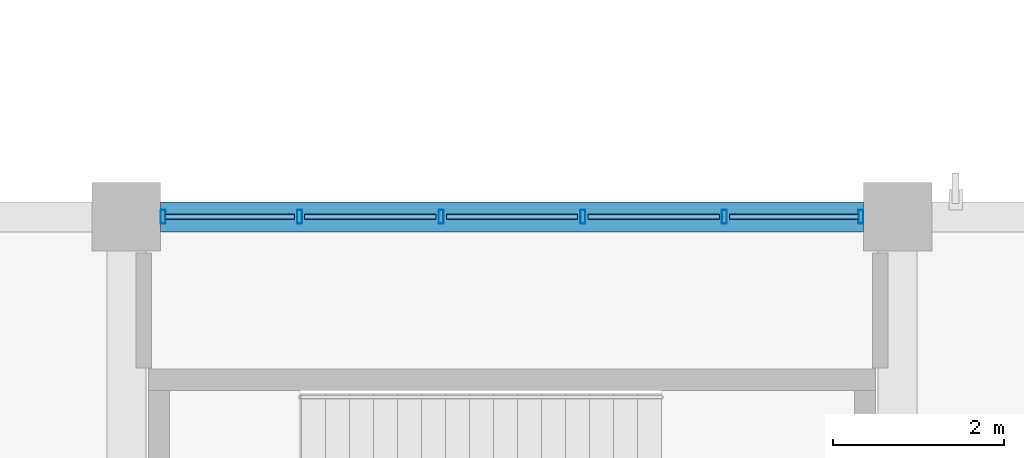
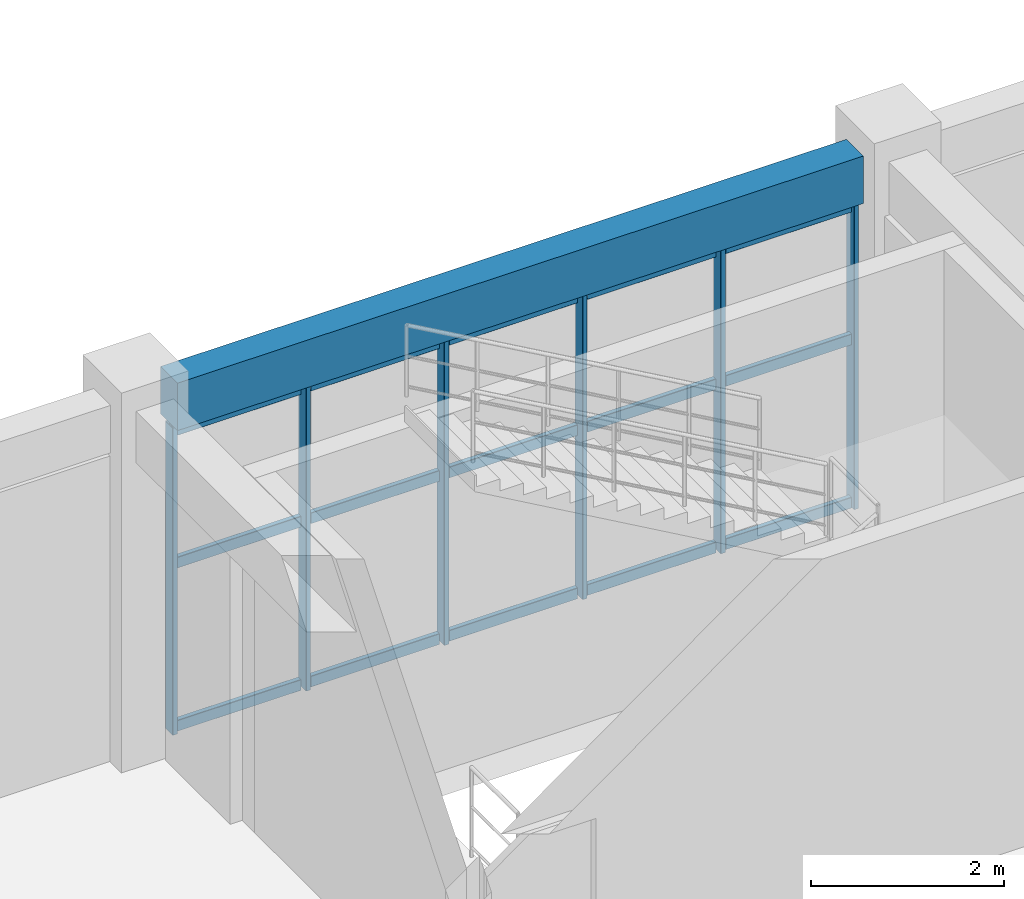
# One storey, part 108 of 178: 21 members, 1 beam, 1 element without a shape of its own.
"""IFC4 building model written with IfcOpenShell, lengths in metres."""

from ifc_helpers import new_model, si_unit, derived_unit, direction, frame, origin, origin_2d, place, context, subcontext, project, spatial, rectangle, hollow_rectangle, extrude, material, material_profile, profile_set, type_object, element, aggregate, save


model = new_model("IFC4")

# Units and contexts
model_context = context("Model", 3, precision=1e-05, world=origin(), true_north=direction((0.0, 1.0)))
body_context = subcontext(model_context, "Body", "Model", "MODEL_VIEW")
ifc_project = project(units=[si_unit("LENGTHUNIT", "METRE"), si_unit("AREAUNIT", "SQUARE_METRE"), si_unit("VOLUMEUNIT", "CUBIC_METRE"), si_unit("PLANEANGLEUNIT", "RADIAN"), si_unit("MASSUNIT", "GRAM", prefix="KILO"), derived_unit("THERMALTRANSMITTANCEUNIT", [(si_unit("MASSUNIT", "GRAM", prefix="KILO"), 1), (si_unit("TIMEUNIT", "SECOND"), -3), (si_unit("THERMODYNAMICTEMPERATUREUNIT", "KELVIN"), -1)])], contexts=[model_context])

# Site, building, storey
site_placement = place(None, origin())
site = spatial("IfcSite", under=ifc_project, at=site_placement, CompositionType="ELEMENT")
building_placement = place(site_placement, origin())
building = spatial("IfcBuilding", under=site, at=building_placement, Name="Zhenchuan Archway Interchange", CompositionType="ELEMENT")
storey_placement = place(building_placement, frame((0.0, 0.0, 5.39990234375)))
storey = spatial("IfcBuildingStorey", under=building, at=storey_placement, Name="L01", CompositionType="ELEMENT", Elevation=5.39990234375)

# Curtain wall, members
ifc_material_1 = material(Name="Anodised Aluminium", Category="aluminium")
curtain_wall_type = type_object("IfcCurtainWallType", Name="CW_UNIT_2", PredefinedType="NOTDEFINED", material=ifc_material_1)
curtain_wall_placement = place(storey_placement, origin())
curtain_wall = element("IfcCurtainWall", 1, at=curtain_wall_placement, inside=storey, type_object=curtain_wall_type, Name="Unitised curtain wall CW:L01:061", PredefinedType="NOTDEFINED")
ifc_material_profile_1 = material_profile(ifc_material_1, hollow_rectangle(XDim=0.06005859375, YDim=0.159912109375, WallThickness=0.00390625, InnerFilletRadius=0.00390625, OuterFilletRadius=0.008056640625, at=origin_2d()), Name="ALU 160x60x4")
ifc_profile_set_1 = profile_set([ifc_material_profile_1], Name="Anodised Aluminium")
member_type_1 = type_object("IfcMemberType", Name="CW_MUL_150", PredefinedType="MULLION", material=ifc_profile_set_1)
member_1_placement = place(storey_placement, frame((117.427978515625, 104.0, 0.0), z_axis=(0.0, 0.0, 1.0), x_axis=(1.0, 0.0, 0.0)))
member_1 = element("IfcMember", 2, at=member_1_placement, type_object=member_type_1, Name="CW:L01:061 mullion 0", PredefinedType="MULLION", context=body_context, shape_type="SweptSolid", body=[
    extrude(hollow_rectangle(XDim=0.06005859375, YDim=0.159912109375, WallThickness=0.00390625, InnerFilletRadius=0.00390625, OuterFilletRadius=0.008056640625, at=origin_2d()), origin(), (0.0, 0.0, 1.0), 3.880126953125),
])
member_2_placement = place(storey_placement, frame((119.020751953125, 104.0, 0.0), z_axis=(0.0, 0.0, 1.0), x_axis=(1.0, 0.0, 0.0)))
member_2 = element("IfcMember", 3, at=member_2_placement, type_object=member_type_1, Name="CW:L01:061 mullion 1", PredefinedType="MULLION", context=body_context, shape_type="SweptSolid", body=[
    extrude(hollow_rectangle(XDim=0.06005859375, YDim=0.159912109375, WallThickness=0.00390625, InnerFilletRadius=0.00390625, OuterFilletRadius=0.008056640625, at=origin_2d()), origin(), (0.0, 0.0, 1.0), 3.880126953125),
])
member_3_placement = place(storey_placement, frame((120.673583984375, 104.0, 0.0), z_axis=(0.0, 0.0, 1.0), x_axis=(1.0, 0.0, 0.0)))
member_3 = element("IfcMember", 4, at=member_3_placement, type_object=member_type_1, Name="CW:L01:061 mullion 2", PredefinedType="MULLION", context=body_context, shape_type="SweptSolid", body=[
    extrude(hollow_rectangle(XDim=0.06005859375, YDim=0.159912109375, WallThickness=0.00390625, InnerFilletRadius=0.00390625, OuterFilletRadius=0.008056640625, at=origin_2d()), origin(), (0.0, 0.0, 1.0), 3.880126953125),
])
member_4_placement = place(storey_placement, frame((122.326416015625, 104.0, 0.0), z_axis=(0.0, 0.0, 1.0), x_axis=(1.0, 0.0, 0.0)))
member_4 = element("IfcMember", 5, at=member_4_placement, type_object=member_type_1, Name="CW:L01:061 mullion 3", PredefinedType="MULLION", context=body_context, shape_type="SweptSolid", body=[
    extrude(hollow_rectangle(XDim=0.06005859375, YDim=0.159912109375, WallThickness=0.00390625, InnerFilletRadius=0.00390625, OuterFilletRadius=0.008056640625, at=origin_2d()), origin(), (0.0, 0.0, 1.0), 3.880126953125),
])
member_5_placement = place(storey_placement, frame((123.979248046875, 104.0, 0.0), z_axis=(0.0, 0.0, 1.0), x_axis=(1.0, 0.0, 0.0)))
member_5 = element("IfcMember", 6, at=member_5_placement, type_object=member_type_1, Name="CW:L01:061 mullion 4", PredefinedType="MULLION", context=body_context, shape_type="SweptSolid", body=[
    extrude(hollow_rectangle(XDim=0.06005859375, YDim=0.159912109375, WallThickness=0.00390625, InnerFilletRadius=0.00390625, OuterFilletRadius=0.008056640625, at=origin_2d()), origin(), (0.0, 0.0, 1.0), 3.880126953125),
])
member_6_placement = place(storey_placement, frame((125.572021484375, 104.0, 0.0), z_axis=(0.0, 0.0, 1.0), x_axis=(1.0, 0.0, 0.0)))
member_6 = element("IfcMember", 7, at=member_6_placement, type_object=member_type_1, Name="CW:L01:061 mullion 5", PredefinedType="MULLION", context=body_context, shape_type="SweptSolid", body=[
    extrude(hollow_rectangle(XDim=0.06005859375, YDim=0.159912109375, WallThickness=0.00390625, InnerFilletRadius=0.00390625, OuterFilletRadius=0.008056640625, at=origin_2d()), origin(), (0.0, 0.0, 1.0), 3.880126953125),
])
ifc_material_profile_2 = material_profile(ifc_material_1, hollow_rectangle(XDim=0.06005859375, YDim=0.139892578125, WallThickness=0.00341796875, InnerFilletRadius=0.00341796875, OuterFilletRadius=0.007080078125, at=origin_2d()), Name="ALU 140x60x3.5")
ifc_profile_set_2 = profile_set([ifc_material_profile_2], Name="Anodised Aluminium")
member_type_2 = type_object("IfcMemberType", Name="CW_TRN_140", PredefinedType="USERDEFINED", material=ifc_profile_set_2)
member_7_placement = place(storey_placement, frame((117.447998046875, 104.0, 0.06005859375), z_axis=(1.0, 0.0, 0.0), x_axis=(0.0, 1.0, 0.0)))
member_7 = element("IfcMember", 8, at=member_7_placement, type_object=member_type_2, Name="CW:L01:061 transom 0-1", ObjectType="TRANSOM", PredefinedType="USERDEFINED", context=body_context, shape_type="SweptSolid", body=[
    extrude(hollow_rectangle(XDim=0.06005859375, YDim=0.139892578125, WallThickness=0.00341796875, InnerFilletRadius=0.00341796875, OuterFilletRadius=0.007080078125, at=origin_2d()), origin(), (0.0, 0.0, 1.0), 1.5126953125),
])
member_8_placement = place(storey_placement, frame((117.447998046875, 104.0, 2.123046875), z_axis=(1.0, 0.0, 0.0), x_axis=(0.0, 1.0, 0.0)))
member_8 = element("IfcMember", 9, at=member_8_placement, type_object=member_type_2, Name="CW:L01:061 transom 0-2", ObjectType="TRANSOM", PredefinedType="USERDEFINED", context=body_context, shape_type="SweptSolid", body=[
    extrude(hollow_rectangle(XDim=0.06005859375, YDim=0.139892578125, WallThickness=0.00341796875, InnerFilletRadius=0.00341796875, OuterFilletRadius=0.007080078125, at=origin_2d()), origin(), (0.0, 0.0, 1.0), 1.5126953125),
])
member_9_placement = place(storey_placement, frame((117.447998046875, 104.0, 3.800048828125), z_axis=(1.0, 0.0, 0.0), x_axis=(0.0, 1.0, 0.0)))
member_9 = element("IfcMember", 10, at=member_9_placement, type_object=member_type_2, Name="CW:L01:061 transom 0-3", ObjectType="TRANSOM", PredefinedType="USERDEFINED", context=body_context, shape_type="SweptSolid", body=[
    extrude(hollow_rectangle(XDim=0.06005859375, YDim=0.139892578125, WallThickness=0.00341796875, InnerFilletRadius=0.00341796875, OuterFilletRadius=0.007080078125, at=origin_2d()), origin(), (0.0, 0.0, 1.0), 1.5126953125),
])
member_10_placement = place(storey_placement, frame((119.080810546875, 104.0, 0.06005859375), z_axis=(1.0, 0.0, 0.0), x_axis=(0.0, 1.0, 0.0)))
member_10 = element("IfcMember", 11, at=member_10_placement, type_object=member_type_2, Name="CW:L01:061 transom 1-1", ObjectType="TRANSOM", PredefinedType="USERDEFINED", context=body_context, shape_type="SweptSolid", body=[
    extrude(hollow_rectangle(XDim=0.06005859375, YDim=0.139892578125, WallThickness=0.00341796875, InnerFilletRadius=0.00341796875, OuterFilletRadius=0.007080078125, at=origin_2d()), origin(), (0.0, 0.0, 1.0), 1.53271484375),
])
member_11_placement = place(storey_placement, frame((119.080810546875, 104.0, 2.123046875), z_axis=(1.0, 0.0, 0.0), x_axis=(0.0, 1.0, 0.0)))
member_11 = element("IfcMember", 12, at=member_11_placement, type_object=member_type_2, Name="CW:L01:061 transom 1-2", ObjectType="TRANSOM", PredefinedType="USERDEFINED", context=body_context, shape_type="SweptSolid", body=[
    extrude(hollow_rectangle(XDim=0.06005859375, YDim=0.139892578125, WallThickness=0.00341796875, InnerFilletRadius=0.00341796875, OuterFilletRadius=0.007080078125, at=origin_2d()), origin(), (0.0, 0.0, 1.0), 1.53271484375),
])
member_12_placement = place(storey_placement, frame((119.080810546875, 104.0, 3.800048828125), z_axis=(1.0, 0.0, 0.0), x_axis=(0.0, 1.0, 0.0)))
member_12 = element("IfcMember", 13, at=member_12_placement, type_object=member_type_2, Name="CW:L01:061 transom 1-3", ObjectType="TRANSOM", PredefinedType="USERDEFINED", context=body_context, shape_type="SweptSolid", body=[
    extrude(hollow_rectangle(XDim=0.06005859375, YDim=0.139892578125, WallThickness=0.00341796875, InnerFilletRadius=0.00341796875, OuterFilletRadius=0.007080078125, at=origin_2d()), origin(), (0.0, 0.0, 1.0), 1.53271484375),
])
member_13_placement = place(storey_placement, frame((120.733642578125, 104.0, 0.06005859375), z_axis=(1.0, 0.0, 0.0), x_axis=(0.0, 1.0, 0.0)))
member_13 = element("IfcMember", 14, at=member_13_placement, type_object=member_type_2, Name="CW:L01:061 transom 2-1", ObjectType="TRANSOM", PredefinedType="USERDEFINED", context=body_context, shape_type="SweptSolid", body=[
    extrude(hollow_rectangle(XDim=0.06005859375, YDim=0.139892578125, WallThickness=0.00341796875, InnerFilletRadius=0.00341796875, OuterFilletRadius=0.007080078125, at=origin_2d()), origin(), (0.0, 0.0, 1.0), 1.53271484375),
])
member_14_placement = place(storey_placement, frame((120.733642578125, 104.0, 2.123046875), z_axis=(1.0, 0.0, 0.0), x_axis=(0.0, 1.0, 0.0)))
member_14 = element("IfcMember", 15, at=member_14_placement, type_object=member_type_2, Name="CW:L01:061 transom 2-2", ObjectType="TRANSOM", PredefinedType="USERDEFINED", context=body_context, shape_type="SweptSolid", body=[
    extrude(hollow_rectangle(XDim=0.06005859375, YDim=0.139892578125, WallThickness=0.00341796875, InnerFilletRadius=0.00341796875, OuterFilletRadius=0.007080078125, at=origin_2d()), origin(), (0.0, 0.0, 1.0), 1.53271484375),
])
member_15_placement = place(storey_placement, frame((120.733642578125, 104.0, 3.800048828125), z_axis=(1.0, 0.0, 0.0), x_axis=(0.0, 1.0, 0.0)))
member_15 = element("IfcMember", 16, at=member_15_placement, type_object=member_type_2, Name="CW:L01:061 transom 2-3", ObjectType="TRANSOM", PredefinedType="USERDEFINED", context=body_context, shape_type="SweptSolid", body=[
    extrude(hollow_rectangle(XDim=0.06005859375, YDim=0.139892578125, WallThickness=0.00341796875, InnerFilletRadius=0.00341796875, OuterFilletRadius=0.007080078125, at=origin_2d()), origin(), (0.0, 0.0, 1.0), 1.53271484375),
])
member_16_placement = place(storey_placement, frame((122.386474609375, 104.0, 0.06005859375), z_axis=(1.0, 0.0, 0.0), x_axis=(0.0, 1.0, 0.0)))
member_16 = element("IfcMember", 17, at=member_16_placement, type_object=member_type_2, Name="CW:L01:061 transom 3-1", ObjectType="TRANSOM", PredefinedType="USERDEFINED", context=body_context, shape_type="SweptSolid", body=[
    extrude(hollow_rectangle(XDim=0.06005859375, YDim=0.139892578125, WallThickness=0.00341796875, InnerFilletRadius=0.00341796875, OuterFilletRadius=0.007080078125, at=origin_2d()), origin(), (0.0, 0.0, 1.0), 1.53271484375),
])
member_17_placement = place(storey_placement, frame((122.386474609375, 104.0, 2.123046875), z_axis=(1.0, 0.0, 0.0), x_axis=(0.0, 1.0, 0.0)))
member_17 = element("IfcMember", 18, at=member_17_placement, type_object=member_type_2, Name="CW:L01:061 transom 3-2", ObjectType="TRANSOM", PredefinedType="USERDEFINED", context=body_context, shape_type="SweptSolid", body=[
    extrude(hollow_rectangle(XDim=0.06005859375, YDim=0.139892578125, WallThickness=0.00341796875, InnerFilletRadius=0.00341796875, OuterFilletRadius=0.007080078125, at=origin_2d()), origin(), (0.0, 0.0, 1.0), 1.53271484375),
])
member_18_placement = place(storey_placement, frame((122.386474609375, 104.0, 3.800048828125), z_axis=(1.0, 0.0, 0.0), x_axis=(0.0, 1.0, 0.0)))
member_18 = element("IfcMember", 19, at=member_18_placement, type_object=member_type_2, Name="CW:L01:061 transom 3-3", ObjectType="TRANSOM", PredefinedType="USERDEFINED", context=body_context, shape_type="SweptSolid", body=[
    extrude(hollow_rectangle(XDim=0.06005859375, YDim=0.139892578125, WallThickness=0.00341796875, InnerFilletRadius=0.00341796875, OuterFilletRadius=0.007080078125, at=origin_2d()), origin(), (0.0, 0.0, 1.0), 1.53271484375),
])
member_19_placement = place(storey_placement, frame((124.039306640625, 104.0, 0.06005859375), z_axis=(1.0, 0.0, 0.0), x_axis=(0.0, 1.0, 0.0)))
member_19 = element("IfcMember", 20, at=member_19_placement, type_object=member_type_2, Name="CW:L01:061 transom 4-1", ObjectType="TRANSOM", PredefinedType="USERDEFINED", context=body_context, shape_type="SweptSolid", body=[
    extrude(hollow_rectangle(XDim=0.06005859375, YDim=0.139892578125, WallThickness=0.00341796875, InnerFilletRadius=0.00341796875, OuterFilletRadius=0.007080078125, at=origin_2d()), origin(), (0.0, 0.0, 1.0), 1.5126953125),
])
member_20_placement = place(storey_placement, frame((124.039306640625, 104.0, 2.123046875), z_axis=(1.0, 0.0, 0.0), x_axis=(0.0, 1.0, 0.0)))
member_20 = element("IfcMember", 21, at=member_20_placement, type_object=member_type_2, Name="CW:L01:061 transom 4-2", ObjectType="TRANSOM", PredefinedType="USERDEFINED", context=body_context, shape_type="SweptSolid", body=[
    extrude(hollow_rectangle(XDim=0.06005859375, YDim=0.139892578125, WallThickness=0.00341796875, InnerFilletRadius=0.00341796875, OuterFilletRadius=0.007080078125, at=origin_2d()), origin(), (0.0, 0.0, 1.0), 1.5126953125),
])
member_21_placement = place(storey_placement, frame((124.039306640625, 104.0, 3.800048828125), z_axis=(1.0, 0.0, 0.0), x_axis=(0.0, 1.0, 0.0)))
member_21 = element("IfcMember", 22, at=member_21_placement, type_object=member_type_2, Name="CW:L01:061 transom 4-3", ObjectType="TRANSOM", PredefinedType="USERDEFINED", context=body_context, shape_type="SweptSolid", body=[
    extrude(hollow_rectangle(XDim=0.06005859375, YDim=0.139892578125, WallThickness=0.00341796875, InnerFilletRadius=0.00341796875, OuterFilletRadius=0.007080078125, at=origin_2d()), origin(), (0.0, 0.0, 1.0), 1.5126953125),
])
aggregate(curtain_wall, [member_1, member_2, member_3, member_4, member_5, member_6, member_7, member_8, member_9, member_10, member_11, member_12, member_13, member_14, member_15, member_16, member_17, member_18, member_19, member_20, member_21])

# Beam
ifc_material_2 = material(Name="Concrete C40", Category="concrete")
ifc_material_profile_3 = material_profile(ifc_material_2, rectangle(XDim=0.35009765625, YDim=0.60009765625, at=origin_2d()), Name="RC 350x600")
ifc_profile_set_3 = profile_set([ifc_material_profile_3], Name="Concrete C40")
beam_type = type_object("IfcBeamType", Name="SP_RC_350x600", PredefinedType="SPANDREL", material=ifc_profile_set_3)
beam_placement = place(storey_placement, frame((117.39990234375, 104.0, 4.210205078125), z_axis=(1.0, 0.0, 0.0), x_axis=(0.0, 1.0, 0.0)))
element("IfcBeam", 23, at=beam_placement, inside=storey, type_object=beam_type, Name="Beam O:14-15 (L01)", PredefinedType="SPANDREL", context=body_context, shape_type="SweptSolid", body=[
    extrude(rectangle(XDim=0.35009765625, YDim=0.60009765625, at=origin_2d()), origin(), (0.0, 0.0, 1.0), 8.2001953125),
])

save(model, "model.ifc")
